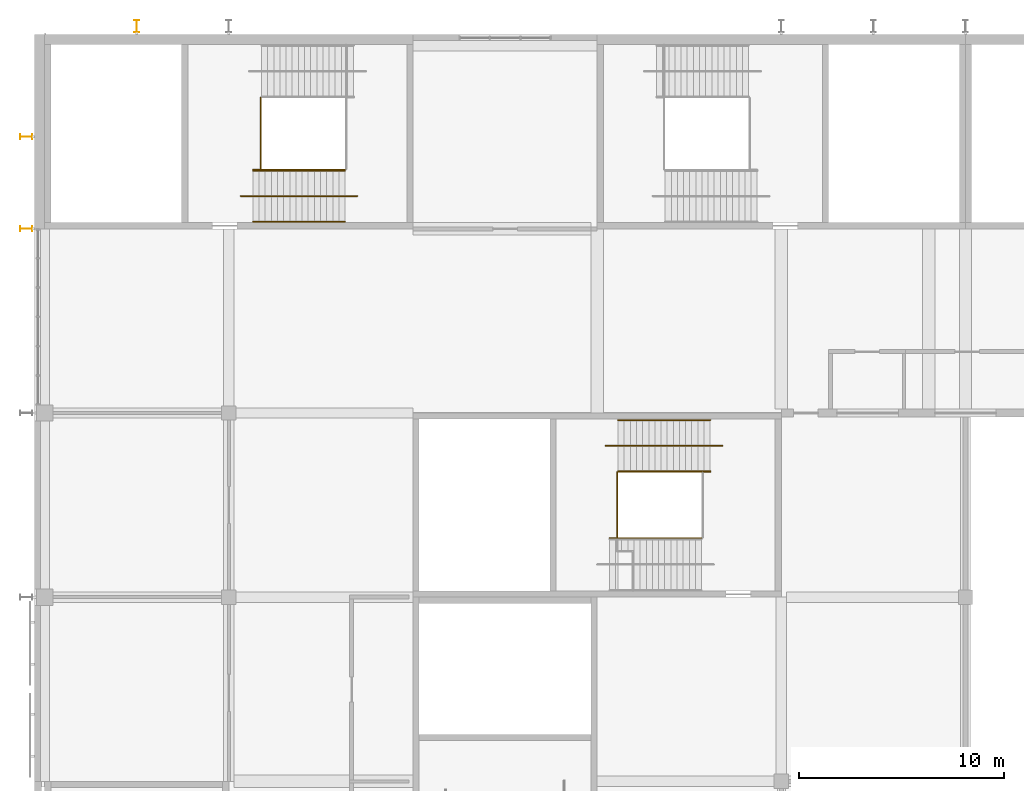
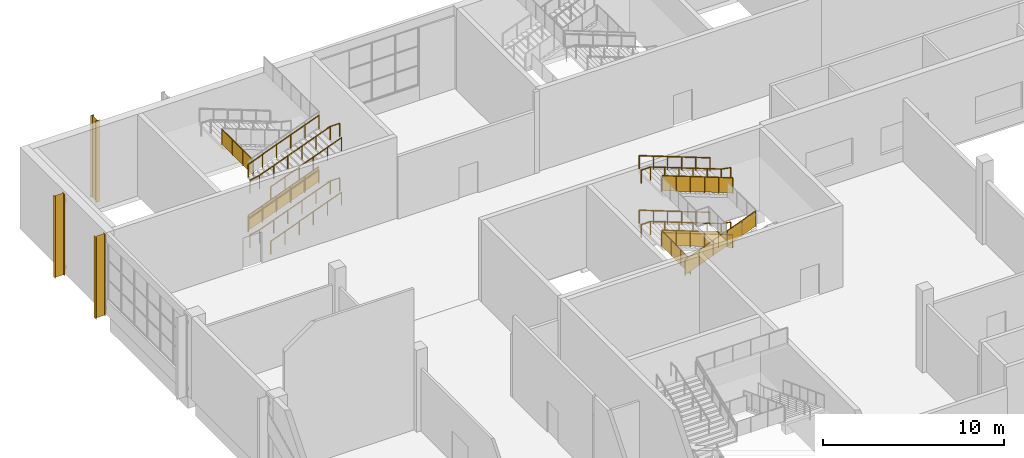
# One storey, part 71 of 84: 18 railings, 3 shading devices.
"""IFC4 building model written with IfcOpenShell, lengths in metres."""

import ifcopenshell
import ifcopenshell.guid

model = None  # the IFC model being written
_history = None  # IfcOwnerHistory: only IFC2X3 demands one
_inside = {}  # id of a spatial element -> (the spatial element, [elements in it])
_under = {}  # id of a project, library or spatial element -> (it, [spatial elements below it])
_declared = {}  # id of a project -> (the project, [libraries it declares])
_typed = {}  # id of a type object -> (the type object, [elements of that type])
_made_of = {}  # id of a material, layer set ... -> (it, [elements and type objects made of it])


def new_model(schema):
    """Start an empty IFC model of exactly this schema.

    Asked for "IFC4X3", IfcOpenShell would pick the latest addendum, in which some entities
    have other attributes; the version numbers below select the first issue.
    IFC2X3 requires an IfcOwnerHistory on every rooted entity: one is made here for all.
    """
    global model, _history
    if schema == "IFC4X3":
        model = ifcopenshell.file(schema_version=(4, 3, 0, 0))
    else:
        model = ifcopenshell.file(schema=schema)
    _inside.clear()
    _under.clear()
    _declared.clear()
    _typed.clear()
    _made_of.clear()
    _history = None
    if model.schema == "IFC2X3":
        org = make("IfcOrganization", Name="unknown")
        user = make(
            "IfcPersonAndOrganization",
            ThePerson=make("IfcPerson", FamilyName="unknown"),
            TheOrganization=org,
        )
        app = make(
            "IfcApplication",
            ApplicationDeveloper=org,
            Version="unknown",
            ApplicationFullName="unknown",
            ApplicationIdentifier="unknown",
        )
        _history = make(
            "IfcOwnerHistory",
            OwningUser=user,
            OwningApplication=app,
            ChangeAction="ADDED",
            CreationDate=0,
        )
    return model


def make(cls, **values):
    """One entity of the class cls with the attributes given. An attribute that is None is left unset."""
    return model.create_entity(
        cls, **{name: value for name, value in values.items() if value is not None}
    )


def rooted(cls, **values):
    """An entity with a GlobalId (a new one), such as an element, a storey or a relation."""
    return make(cls, GlobalId=ifcopenshell.guid.new(), OwnerHistory=_history, **values)


def si_unit(unit_type, name, prefix=None):
    """IfcSIUnit, for example si_unit("LENGTHUNIT", "METRE", prefix="MILLI")."""
    return make("IfcSIUnit", UnitType=unit_type, Prefix=prefix, Name=name)


def assignment(units):
    """IfcUnitAssignment: the units of a project."""
    return None if units is None else make("IfcUnitAssignment", Units=units)


def point(xyz):
    """IfcCartesianPoint."""
    return None if xyz is None else make("IfcCartesianPoint", Coordinates=xyz)


def direction(xyz):
    """IfcDirection."""
    return None if xyz is None else make("IfcDirection", DirectionRatios=xyz)


def frame(location, z_axis=None, x_axis=None):
    """IfcAxis2Placement3D, a coordinate frame: its origin and axes. An axis left out is left unset."""
    return make(
        "IfcAxis2Placement3D",
        Location=point(location),
        Axis=direction(z_axis),
        RefDirection=direction(x_axis),
    )


def frame_2d(location, x_axis=None):
    """IfcAxis2Placement2D, a coordinate frame in the plane: its origin and x axis."""
    return make(
        "IfcAxis2Placement2D", Location=point(location), RefDirection=direction(x_axis)
    )


def origin():
    """The frame at (0, 0, 0) with its axes left unset."""
    return frame((0.0, 0.0, 0.0))


def origin_2d():
    """The frame at (0, 0) in the plane with its x axis left unset."""
    return frame_2d((0.0, 0.0))


def place(relative_to, where):
    """IfcLocalPlacement: puts the frame where relative to a parent placement (None: the world)."""
    return make(
        "IfcLocalPlacement", PlacementRelTo=relative_to, RelativePlacement=where
    )


def context(
    kind, dimensions, precision=None, world=None, true_north=None, identifier=None
):
    """IfcGeometricRepresentationContext, for example the 3D "Model" context."""
    return make(
        "IfcGeometricRepresentationContext",
        ContextIdentifier=identifier,
        ContextType=kind,
        CoordinateSpaceDimension=dimensions,
        Precision=precision,
        WorldCoordinateSystem=world,
        TrueNorth=true_north,
    )


def subcontext(parent, identifier, kind, view, scale=None):
    """IfcGeometricRepresentationSubContext, for example "Body" below "Model"."""
    return make(
        "IfcGeometricRepresentationSubContext",
        ContextIdentifier=identifier,
        ContextType=kind,
        ParentContext=parent,
        TargetScale=scale,
        TargetView=view,
    )


def project(units=None, contexts=None):
    """IfcProject with its units and contexts."""
    return rooted(
        "IfcProject",
        Name="project",
        RepresentationContexts=contexts,
        UnitsInContext=assignment(units),
    )


def spatial(cls, under=None, at=None, **own):
    """A site, building, storey or space (cls), placed at a placement, below another one or the project."""
    s = rooted(cls, ObjectPlacement=at, **own)
    if under is not None:
        _under.setdefault(under.id(), (under, []))[1].append(s)
    return s


def polyline(points):
    """IfcPolyline through the points."""
    return make("IfcPolyline", Points=[point(p) for p in points])


def profile(cls, at=None, kind="AREA", **sizes):
    """A parametric profile (cls). Its sizes go by their IFC names, for example OverallWidth=200.0."""
    return make(cls, ProfileType=kind, Position=at, **sizes)


def circle(**sizes):
    """IfcCircleProfileDef."""
    return profile("IfcCircleProfileDef", **sizes)


def i_section(**sizes):
    """IfcIShapeProfileDef."""
    return profile("IfcIShapeProfileDef", **sizes)


def outline(outer, holes=None, kind="AREA"):
    """IfcArbitraryClosedProfileDef: a profile drawn as a closed curve; with holes, ...WithVoids."""
    if holes is None:
        return make("IfcArbitraryClosedProfileDef", ProfileType=kind, OuterCurve=outer)
    return make(
        "IfcArbitraryProfileDefWithVoids",
        ProfileType=kind,
        OuterCurve=outer,
        InnerCurves=holes,
    )


def extrude(swept, where, along, depth):
    """IfcExtrudedAreaSolid: the profile swept, set in the frame where, extruded along a direction by depth."""
    return make(
        "IfcExtrudedAreaSolid",
        SweptArea=swept,
        Position=where,
        ExtrudedDirection=direction(along),
        Depth=depth,
    )


def shape(context_of_items, identifier, shape_type, items):
    """IfcShapeRepresentation: the items that make up one representation, for example the "Body"."""
    return make(
        "IfcShapeRepresentation",
        ContextOfItems=context_of_items,
        RepresentationIdentifier=identifier,
        RepresentationType=shape_type,
        Items=items,
    )


def material(Name=None, Category=None):
    """IfcMaterial."""
    return make("IfcMaterial", Name=Name, Category=Category)


def material_profile(
    of_material, cross_section, Name=None, Category=None, Priority=None
):
    """IfcMaterialProfile: a cross section and its material."""
    return make(
        "IfcMaterialProfile",
        Name=Name,
        Material=of_material,
        Profile=cross_section,
        Priority=Priority,
        Category=Category,
    )


def profile_set(profiles, Name=None, composite=None):
    """IfcMaterialProfileSet."""
    return make(
        "IfcMaterialProfileSet",
        Name=Name,
        MaterialProfiles=profiles,
        CompositeProfile=composite,
    )


def made_of(thing, what):
    """Note that an element or type object is made of a material, layer set ...; save() writes the relation."""
    if what is not None:
        _made_of.setdefault(what.id(), (what, []))[1].append(thing)
    return thing


def type_object(cls, material=None, **own):
    """A type object (cls), such as IfcWallType, which elements share."""
    return made_of(rooted(cls, **own), material)


def element(
    cls,
    number,
    at=None,
    inside=None,
    cuts=None,
    type_object=None,
    material=None,
    context=None,
    identifier="Body",
    shape_type=None,
    held_by="IfcProductDefinitionShape",
    body=None,
    shapes=None,
    **own,
):
    """One element of the class cls, such as IfcWall. Its Tag is "e" and its number.

    at: its placement. inside: the storey or other place that contains it. cuts: it is an
    opening in that element (IfcRelVoidsElement). A single representation is given by context,
    identifier, shape_type and body (its items); several are given by shapes. held_by: the class
    of the entity that holds the representations. save() writes the other relations.
    """
    e = rooted(cls, Tag="e%d" % number, ObjectPlacement=at, **own)
    if body is not None:
        shapes = [shape(context, identifier, shape_type, body)]
    if shapes is not None:
        e.Representation = make(held_by, Representations=shapes)
    if inside is not None:
        _inside.setdefault(inside.id(), (inside, []))[1].append(e)
    if cuts is not None:
        rooted(
            "IfcRelVoidsElement", RelatingBuildingElement=cuts, RelatedOpeningElement=e
        )
    if type_object is not None:
        _typed.setdefault(type_object.id(), (type_object, []))[1].append(e)
    return made_of(e, material)


def aggregate(whole, parts):
    """IfcRelAggregates: a whole, such as a stair, and the parts it consists of."""
    return rooted("IfcRelAggregates", RelatingObject=whole, RelatedObjects=parts)


def save(model, path):
    """Write the relations noted so far, then the file.

    IfcRelAggregates (storeys below a building ...), IfcRelContainedInSpatialStructure (elements
    in a storey), IfcRelDefinesByType, IfcRelAssociatesMaterial and IfcRelDeclares: one each for
    every whole, place, type object, material and project.
    """
    for whole, parts in _under.values():
        aggregate(whole, parts)
    for where, things in _inside.values():
        rooted(
            "IfcRelContainedInSpatialStructure",
            RelatedElements=things,
            RelatingStructure=where,
        )
    for kind, things in _typed.values():
        rooted("IfcRelDefinesByType", RelatedObjects=things, RelatingType=kind)
    for what, things in _made_of.values():
        rooted("IfcRelAssociatesMaterial", RelatedObjects=things, RelatingMaterial=what)
    for by, libraries in _declared.values():
        rooted("IfcRelDeclares", RelatingContext=by, RelatedDefinitions=libraries)
    model.write(path)


model = new_model("IFC4")

# Units and contexts
model_context = context("Model", 3, precision=1e-05, world=origin(), true_north=direction((0.0, 1.0)))
body_context = subcontext(model_context, "Body", "Model", "MODEL_VIEW")
ifc_project = project(units=[si_unit("LENGTHUNIT", "METRE"), si_unit("AREAUNIT", "SQUARE_METRE"), si_unit("VOLUMEUNIT", "CUBIC_METRE"), si_unit("PLANEANGLEUNIT", "RADIAN"), si_unit("MASSUNIT", "GRAM", prefix="KILO")], contexts=[model_context])

# Site, building, storey
site_placement = place(None, origin())
site = spatial("IfcSite", under=ifc_project, at=site_placement, CompositionType="ELEMENT")
building_placement = place(site_placement, origin())
building = spatial("IfcBuilding", under=site, at=building_placement, Name="Silverbay Arena", CompositionType="ELEMENT")
storey_placement = place(building_placement, frame((0.0, 0.0, 28.0)))
storey = spatial("IfcBuildingStorey", under=building, at=storey_placement, Name="L04", CompositionType="ELEMENT", Elevation=28.0)

# Railings
ifc_material_1 = material(Name="Stainless steel", Category="steel")
railing_type_1 = type_object("IfcRailingType", Name="Stair guard 1100", PredefinedType="GUARDRAIL", material=ifc_material_1)
railing_1_placement = place(storey_placement, frame((64.1796875, 137.875, 0.114501953125)))
element("IfcRailing", 1, at=railing_1_placement, inside=storey, type_object=railing_type_1, Name="Stair ST-N5 L04 to L05 flight 1 guard right", PredefinedType="GUARDRAIL", context=body_context, shape_type="SweptSolid", body=[
    extrude(circle(Radius=0.02392578125, at=origin_2d()), frame((0.0, 0.0, 1.076171875), z_axis=(0.93417907455, 0.0, 0.356804507641), x_axis=(0.0, 1.0, 0.0)), (0.0, 0.0, 1.0), 4.817138671875),
    extrude(outline(polyline([(-0.008056640625, 0.046875), (0.907958984375, 0.396728515625), (0.907958984375, 1.39990234375), (-0.008056640625, 1.050048828125), (-0.008056640625, 0.046875)])), frame((0.0, 0.0029296875, 0.0), z_axis=(0.0, -1.0, 0.0), x_axis=(1.0, 0.0, 0.0)), (0.0, 0.0, 1.0), 0.006103515625),
    extrude(outline(polyline([(-0.008056640625, 0.390625), (0.907958984375, 0.740478515625), (0.907958984375, 1.74365234375), (-0.008056640625, 1.393798828125), (-0.008056640625, 0.390625)])), frame((0.89990234375, 0.0029296875, 0.0), z_axis=(0.0, -1.0, 0.0), x_axis=(1.0, 0.0, 0.0)), (0.0, 0.0, 1.0), 0.006103515625),
    extrude(outline(polyline([(-0.008056640625, 0.734375), (0.907958984375, 1.084228515625), (0.907958984375, 2.08740234375), (-0.008056640625, 1.737548828125), (-0.008056640625, 0.734375)])), frame((1.800048828125, 0.0029296875, 0.0), z_axis=(0.0, -1.0, 0.0), x_axis=(1.0, 0.0, 0.0)), (0.0, 0.0, 1.0), 0.006103515625),
    extrude(outline(polyline([(-0.008056640625, 1.078125), (0.907958984375, 1.427978515625), (0.907958984375, 2.43115234375), (-0.008056640625, 2.081298828125), (-0.008056640625, 1.078125)])), frame((2.699951171875, 0.0029296875, 0.0), z_axis=(0.0, -1.0, 0.0), x_axis=(1.0, 0.0, 0.0)), (0.0, 0.0, 1.0), 0.006103515625),
    extrude(outline(polyline([(-0.008056640625, 1.421875), (0.907958984375, 1.771728515625), (0.907958984375, 2.77490234375), (-0.008056640625, 2.425048828125), (-0.008056640625, 1.421875)])), frame((3.60009765625, 0.0029296875, 0.0), z_axis=(0.0, -1.0, 0.0), x_axis=(1.0, 0.0, 0.0)), (0.0, 0.0, 1.0), 0.006103515625),
    extrude(circle(Radius=0.02099609375, at=origin_2d()), origin(), (0.0, 0.0, 1.0), 1.052001953125),
    extrude(circle(Radius=0.02099609375, at=origin_2d()), frame((0.89990234375, 0.0, 0.34375)), (0.0, 0.0, 1.0), 1.052001953125),
    extrude(circle(Radius=0.02099609375, at=origin_2d()), frame((1.800048828125, 0.0, 0.6875)), (0.0, 0.0, 1.0), 1.052001953125),
    extrude(circle(Radius=0.02099609375, at=origin_2d()), frame((2.699951171875, 0.0, 1.03125)), (0.0, 0.0, 1.0), 1.052001953125),
    extrude(circle(Radius=0.02099609375, at=origin_2d()), frame((3.60009765625, 0.0, 1.375)), (0.0, 0.0, 1.0), 1.052001953125),
    extrude(circle(Radius=0.02099609375, at=origin_2d()), frame((4.5, 0.0, 1.71875)), (0.0, 0.0, 1.0), 1.052001953125),
])
railing_2_placement = place(storey_placement, frame((64.550048828125, 137.89990234375, 3.666748046875)))
element("IfcRailing", 2, at=railing_2_placement, inside=storey, type_object=railing_type_1, Name="Stair ST-N5 L04 to L05 landing 2 guard", PredefinedType="GUARDRAIL", context=body_context, shape_type="SweptSolid", body=[
    extrude(circle(Radius=0.02392578125, at=origin_2d()), frame((0.0, 0.0, 1.076171875), z_axis=(0.0, 1.0, 0.0), x_axis=(-1.0, 0.0, 0.0)), (0.0, 0.0, 1.0), 3.5),
    extrude(outline(polyline([(-0.008056640625, 0.050048828125), (1.174560546875, 0.050048828125), (1.174560546875, 1.052978515625), (-0.008056640625, 1.052978515625), (-0.008056640625, 0.050048828125)])), frame((-0.0029296875, 0.0, 0.0), z_axis=(1.0, 0.0, 0.0), x_axis=(0.0, 1.0, 0.0)), (0.0, 0.0, 1.0), 0.006103515625),
    extrude(outline(polyline([(-0.008056640625, 0.050048828125), (1.174560546875, 0.050048828125), (1.174560546875, 1.052978515625), (-0.008056640625, 1.052978515625), (-0.008056640625, 0.050048828125)])), frame((-0.0029296875, 1.166748046875, 0.0), z_axis=(1.0, 0.0, 0.0), x_axis=(0.0, 1.0, 0.0)), (0.0, 0.0, 1.0), 0.006103515625),
    extrude(outline(polyline([(-0.008056640625, 0.050048828125), (1.174560546875, 0.050048828125), (1.174560546875, 1.052978515625), (-0.008056640625, 1.052978515625), (-0.008056640625, 0.050048828125)])), frame((-0.0029296875, 2.333251953125, 0.0), z_axis=(1.0, 0.0, 0.0), x_axis=(0.0, 1.0, 0.0)), (0.0, 0.0, 1.0), 0.006103515625),
    extrude(circle(Radius=0.02099609375, at=origin_2d()), origin(), (0.0, 0.0, 1.0), 1.052001953125),
    extrude(circle(Radius=0.02099609375, at=origin_2d()), frame((0.0, 1.166748046875, 0.0)), (0.0, 0.0, 1.0), 1.052001953125),
    extrude(circle(Radius=0.02099609375, at=origin_2d()), frame((0.0, 2.333251953125, 0.0)), (0.0, 0.0, 1.0), 1.052001953125),
    extrude(circle(Radius=0.02099609375, at=origin_2d()), frame((0.0, 3.5, 0.0)), (0.0, 0.0, 1.0), 1.052001953125),
])
railing_3_placement = place(storey_placement, frame((86.5205078125, 123.125, 0.114501953125)))
element("IfcRailing", 3, at=railing_3_placement, inside=storey, type_object=railing_type_1, Name="Stair ST-NW1 L04 to L05 flight 1 guard left", PredefinedType="GUARDRAIL", context=body_context, shape_type="SweptSolid", body=[
    extrude(circle(Radius=0.02392578125, at=origin_2d()), frame((0.0, 0.0, 1.076171875), z_axis=(-0.93417907455, 0.0, 0.356804507641), x_axis=(0.0, -1.0, 0.0)), (0.0, 0.0, 1.0), 4.817138671875),
    extrude(outline(polyline([(-0.008056640625, 0.046875), (0.907958984375, 0.396728515625), (0.907958984375, 1.39990234375), (-0.008056640625, 1.050048828125), (-0.008056640625, 0.046875)])), frame((0.0, -0.0029296875, 0.0), z_axis=(0.0, 1.0, 0.0), x_axis=(-1.0, 0.0, 0.0)), (0.0, 0.0, 1.0), 0.006103515625),
    extrude(outline(polyline([(-0.008056640625, 0.390625), (0.907958984375, 0.740478515625), (0.907958984375, 1.74365234375), (-0.008056640625, 1.393798828125), (-0.008056640625, 0.390625)])), frame((-0.89990234375, -0.0029296875, 0.0), z_axis=(0.0, 1.0, 0.0), x_axis=(-1.0, 0.0, 0.0)), (0.0, 0.0, 1.0), 0.006103515625),
    extrude(outline(polyline([(-0.008056640625, 0.734375), (0.907958984375, 1.084228515625), (0.907958984375, 2.08740234375), (-0.008056640625, 1.737548828125), (-0.008056640625, 0.734375)])), frame((-1.800048828125, -0.0029296875, 0.0), z_axis=(0.0, 1.0, 0.0), x_axis=(-1.0, 0.0, 0.0)), (0.0, 0.0, 1.0), 0.006103515625),
    extrude(outline(polyline([(-0.008056640625, 1.078125), (0.907958984375, 1.427978515625), (0.907958984375, 2.43115234375), (-0.008056640625, 2.081298828125), (-0.008056640625, 1.078125)])), frame((-2.699951171875, -0.0029296875, 0.0), z_axis=(0.0, 1.0, 0.0), x_axis=(-1.0, 0.0, 0.0)), (0.0, 0.0, 1.0), 0.006103515625),
    extrude(outline(polyline([(-0.008056640625, 1.421875), (0.907958984375, 1.771728515625), (0.907958984375, 2.77490234375), (-0.008056640625, 2.425048828125), (-0.008056640625, 1.421875)])), frame((-3.60009765625, -0.0029296875, 0.0), z_axis=(0.0, 1.0, 0.0), x_axis=(-1.0, 0.0, 0.0)), (0.0, 0.0, 1.0), 0.006103515625),
    extrude(circle(Radius=0.02099609375, at=origin_2d()), origin(), (0.0, 0.0, 1.0), 1.052001953125),
    extrude(circle(Radius=0.02099609375, at=origin_2d()), frame((-0.89990234375, 0.0, 0.34375)), (0.0, 0.0, 1.0), 1.052001953125),
    extrude(circle(Radius=0.02099609375, at=origin_2d()), frame((-1.800048828125, 0.0, 0.6875)), (0.0, 0.0, 1.0), 1.052001953125),
    extrude(circle(Radius=0.02099609375, at=origin_2d()), frame((-2.699951171875, 0.0, 1.03125)), (0.0, 0.0, 1.0), 1.052001953125),
    extrude(circle(Radius=0.02099609375, at=origin_2d()), frame((-3.60009765625, 0.0, 1.375)), (0.0, 0.0, 1.0), 1.052001953125),
    extrude(circle(Radius=0.02099609375, at=origin_2d()), frame((-4.5, 0.0, 1.71875)), (0.0, 0.0, 1.0), 1.052001953125),
])
railing_4_placement = place(storey_placement, frame((81.60009765625, 119.875, 1.947998046875)))
element("IfcRailing", 4, at=railing_4_placement, inside=storey, type_object=railing_type_1, Name="Stair ST-NW1 L04 to L05 flight 2 guard right", PredefinedType="GUARDRAIL", context=body_context, shape_type="SweptSolid", body=[
    extrude(circle(Radius=0.02392578125, at=origin_2d()), frame((0.0, 0.0, 1.076171875), z_axis=(0.93417907455, 0.0, 0.356804507641), x_axis=(0.0, 1.0, 0.0)), (0.0, 0.0, 1.0), 4.817138671875),
    extrude(outline(polyline([(-0.008056640625, 0.046875), (0.907958984375, 0.396728515625), (0.907958984375, 1.39990234375), (-0.008056640625, 1.050048828125), (-0.008056640625, 0.046875)])), frame((0.0, 0.0029296875, 0.0), z_axis=(0.0, -1.0, 0.0), x_axis=(1.0, 0.0, 0.0)), (0.0, 0.0, 1.0), 0.006103515625),
    extrude(outline(polyline([(-0.008056640625, 0.390625), (0.907958984375, 0.740478515625), (0.907958984375, 1.74365234375), (-0.008056640625, 1.393798828125), (-0.008056640625, 0.390625)])), frame((0.89990234375, 0.0029296875, 0.0), z_axis=(0.0, -1.0, 0.0), x_axis=(1.0, 0.0, 0.0)), (0.0, 0.0, 1.0), 0.006103515625),
    extrude(outline(polyline([(-0.008056640625, 0.734375), (0.907958984375, 1.084228515625), (0.907958984375, 2.08740234375), (-0.008056640625, 1.737548828125), (-0.008056640625, 0.734375)])), frame((1.800048828125, 0.0029296875, 0.0), z_axis=(0.0, -1.0, 0.0), x_axis=(1.0, 0.0, 0.0)), (0.0, 0.0, 1.0), 0.006103515625),
    extrude(outline(polyline([(-0.008056640625, 1.078125), (0.907958984375, 1.427978515625), (0.907958984375, 2.43115234375), (-0.008056640625, 2.081298828125), (-0.008056640625, 1.078125)])), frame((2.699951171875, 0.0029296875, 0.0), z_axis=(0.0, -1.0, 0.0), x_axis=(1.0, 0.0, 0.0)), (0.0, 0.0, 1.0), 0.006103515625),
    extrude(outline(polyline([(-0.008056640625, 1.421875), (0.907958984375, 1.771728515625), (0.907958984375, 2.77490234375), (-0.008056640625, 2.425048828125), (-0.008056640625, 1.421875)])), frame((3.60009765625, 0.0029296875, 0.0), z_axis=(0.0, -1.0, 0.0), x_axis=(1.0, 0.0, 0.0)), (0.0, 0.0, 1.0), 0.006103515625),
    extrude(circle(Radius=0.02099609375, at=origin_2d()), origin(), (0.0, 0.0, 1.0), 1.052001953125),
    extrude(circle(Radius=0.02099609375, at=origin_2d()), frame((0.89990234375, 0.0, 0.34375)), (0.0, 0.0, 1.0), 1.052001953125),
    extrude(circle(Radius=0.02099609375, at=origin_2d()), frame((1.800048828125, 0.0, 0.6875)), (0.0, 0.0, 1.0), 1.052001953125),
    extrude(circle(Radius=0.02099609375, at=origin_2d()), frame((2.699951171875, 0.0, 1.03125)), (0.0, 0.0, 1.0), 1.052001953125),
    extrude(circle(Radius=0.02099609375, at=origin_2d()), frame((3.60009765625, 0.0, 1.375)), (0.0, 0.0, 1.0), 1.052001953125),
    extrude(circle(Radius=0.02099609375, at=origin_2d()), frame((4.5, 0.0, 1.71875)), (0.0, 0.0, 1.0), 1.052001953125),
])
railing_5_placement = place(storey_placement, frame((86.5205078125, 123.125, 3.78125)))
element("IfcRailing", 5, at=railing_5_placement, inside=storey, type_object=railing_type_1, Name="Stair ST-NW1 L04 to L05 flight 3 guard left", PredefinedType="GUARDRAIL", context=body_context, shape_type="SweptSolid", body=[
    extrude(circle(Radius=0.02392578125, at=origin_2d()), frame((0.0, 0.0, 1.076171875), z_axis=(-0.93417907455, 0.0, 0.356804507641), x_axis=(0.0, -1.0, 0.0)), (0.0, 0.0, 1.0), 4.817138671875),
    extrude(outline(polyline([(-0.008056640625, 0.046875), (0.907958984375, 0.396728515625), (0.907958984375, 1.39990234375), (-0.008056640625, 1.050048828125), (-0.008056640625, 0.046875)])), frame((0.0, -0.0029296875, 0.0), z_axis=(0.0, 1.0, 0.0), x_axis=(-1.0, 0.0, 0.0)), (0.0, 0.0, 1.0), 0.006103515625),
    extrude(outline(polyline([(-0.008056640625, 0.390625), (0.907958984375, 0.740478515625), (0.907958984375, 1.74365234375), (-0.008056640625, 1.393798828125), (-0.008056640625, 0.390625)])), frame((-0.89990234375, -0.0029296875, 0.0), z_axis=(0.0, 1.0, 0.0), x_axis=(-1.0, 0.0, 0.0)), (0.0, 0.0, 1.0), 0.006103515625),
    extrude(outline(polyline([(-0.008056640625, 0.734375), (0.907958984375, 1.084228515625), (0.907958984375, 2.08740234375), (-0.008056640625, 1.737548828125), (-0.008056640625, 0.734375)])), frame((-1.800048828125, -0.0029296875, 0.0), z_axis=(0.0, 1.0, 0.0), x_axis=(-1.0, 0.0, 0.0)), (0.0, 0.0, 1.0), 0.006103515625),
    extrude(outline(polyline([(-0.008056640625, 1.078125), (0.907958984375, 1.427978515625), (0.907958984375, 2.43115234375), (-0.008056640625, 2.081298828125), (-0.008056640625, 1.078125)])), frame((-2.699951171875, -0.0029296875, 0.0), z_axis=(0.0, 1.0, 0.0), x_axis=(-1.0, 0.0, 0.0)), (0.0, 0.0, 1.0), 0.006103515625),
    extrude(outline(polyline([(-0.008056640625, 1.421875), (0.907958984375, 1.771728515625), (0.907958984375, 2.77490234375), (-0.008056640625, 2.425048828125), (-0.008056640625, 1.421875)])), frame((-3.60009765625, -0.0029296875, 0.0), z_axis=(0.0, 1.0, 0.0), x_axis=(-1.0, 0.0, 0.0)), (0.0, 0.0, 1.0), 0.006103515625),
    extrude(circle(Radius=0.02099609375, at=origin_2d()), origin(), (0.0, 0.0, 1.0), 1.052001953125),
    extrude(circle(Radius=0.02099609375, at=origin_2d()), frame((-0.89990234375, 0.0, 0.34375)), (0.0, 0.0, 1.0), 1.052001953125),
    extrude(circle(Radius=0.02099609375, at=origin_2d()), frame((-1.800048828125, 0.0, 0.6875)), (0.0, 0.0, 1.0), 1.052001953125),
    extrude(circle(Radius=0.02099609375, at=origin_2d()), frame((-2.699951171875, 0.0, 1.03125)), (0.0, 0.0, 1.0), 1.052001953125),
    extrude(circle(Radius=0.02099609375, at=origin_2d()), frame((-3.60009765625, 0.0, 1.375)), (0.0, 0.0, 1.0), 1.052001953125),
    extrude(circle(Radius=0.02099609375, at=origin_2d()), frame((-4.5, 0.0, 1.71875)), (0.0, 0.0, 1.0), 1.052001953125),
])
railing_6_placement = place(storey_placement, frame((81.970458984375, 119.89990234375, 1.833251953125)))
element("IfcRailing", 6, at=railing_6_placement, inside=storey, type_object=railing_type_1, Name="Stair ST-NW1 L04 to L05 landing 1 guard", PredefinedType="GUARDRAIL", context=body_context, shape_type="SweptSolid", body=[
    extrude(circle(Radius=0.02392578125, at=origin_2d()), frame((0.0, 0.0, 1.076171875), z_axis=(0.0, 1.0, 0.0), x_axis=(-1.0, 0.0, 0.0)), (0.0, 0.0, 1.0), 3.2001953125),
    extrude(outline(polyline([(-0.008056640625, 0.050048828125), (1.07470703125, 0.050048828125), (1.07470703125, 1.052978515625), (-0.008056640625, 1.052978515625), (-0.008056640625, 0.050048828125)])), frame((-0.0029296875, 0.0, 0.0), z_axis=(1.0, 0.0, 0.0), x_axis=(0.0, 1.0, 0.0)), (0.0, 0.0, 1.0), 0.006103515625),
    extrude(outline(polyline([(-0.008056640625, 0.050048828125), (1.07470703125, 0.050048828125), (1.07470703125, 1.052978515625), (-0.008056640625, 1.052978515625), (-0.008056640625, 0.050048828125)])), frame((-0.0029296875, 1.066650390625, 0.0), z_axis=(1.0, 0.0, 0.0), x_axis=(0.0, 1.0, 0.0)), (0.0, 0.0, 1.0), 0.006103515625),
    extrude(outline(polyline([(-0.008056640625, 0.050048828125), (1.07470703125, 0.050048828125), (1.07470703125, 1.052978515625), (-0.008056640625, 1.052978515625), (-0.008056640625, 0.050048828125)])), frame((-0.0029296875, 2.133544921875, 0.0), z_axis=(1.0, 0.0, 0.0), x_axis=(0.0, 1.0, 0.0)), (0.0, 0.0, 1.0), 0.006103515625),
    extrude(circle(Radius=0.02099609375, at=origin_2d()), origin(), (0.0, 0.0, 1.0), 1.052001953125),
    extrude(circle(Radius=0.02099609375, at=origin_2d()), frame((0.0, 1.066650390625, 0.0)), (0.0, 0.0, 1.0), 1.052001953125),
    extrude(circle(Radius=0.02099609375, at=origin_2d()), frame((0.0, 2.133544921875, 0.0)), (0.0, 0.0, 1.0), 1.052001953125),
    extrude(circle(Radius=0.02099609375, at=origin_2d()), frame((0.0, 3.2001953125, 0.0)), (0.0, 0.0, 1.0), 1.052001953125),
])
ifc_material_2 = material(Name="Stainless steel", Category="steel")
railing_type_2 = type_object("IfcRailingType", Name="Stair handrail 900", PredefinedType="HANDRAIL", material=ifc_material_2)
for number, where, name in (
    (7, (64.1796875, 135.35009765625, 0.114501953125), "Stair ST-N5 L04 to L05 flight 1 handrail left"),
    (8, (64.1796875, 137.8359375, 0.114501953125), "Stair ST-N5 L04 to L05 flight 1 handrail right"),
):
    element("IfcRailing", number, at=place(storey_placement, frame(where)), inside=storey, type_object=railing_type_2, Name=name, PredefinedType="HANDRAIL", context=body_context, shape_type="SweptSolid", body=[
        extrude(circle(Radius=0.02392578125, at=origin_2d()), frame((0.0, 0.0, 0.8759765625), z_axis=(0.93417907455, 0.0, 0.356804507641), x_axis=(0.0, 1.0, 0.0)), (0.0, 0.0, 1.0), 4.817138671875),
        extrude(circle(Radius=0.02099609375, at=origin_2d()), origin(), (0.0, 0.0, 1.0), 0.851806640625),
        extrude(circle(Radius=0.02099609375, at=origin_2d()), frame((0.89990234375, 0.0, 0.34375)), (0.0, 0.0, 1.0), 0.851806640625),
        extrude(circle(Radius=0.02099609375, at=origin_2d()), frame((1.800048828125, 0.0, 0.6875)), (0.0, 0.0, 1.0), 0.851806640625),
        extrude(circle(Radius=0.02099609375, at=origin_2d()), frame((2.699951171875, 0.0, 1.03125)), (0.0, 0.0, 1.0), 0.851806640625),
        extrude(circle(Radius=0.02099609375, at=origin_2d()), frame((3.60009765625, 0.0, 1.375)), (0.0, 0.0, 1.0), 0.851806640625),
        extrude(circle(Radius=0.02099609375, at=origin_2d()), frame((4.5, 0.0, 1.71875)), (0.0, 0.0, 1.0), 0.851806640625),
    ])
railing_7_placement = place(storey_placement, frame((63.57958984375, 136.60009765625, 0.0)))
element("IfcRailing", 9, at=railing_7_placement, inside=storey, type_object=railing_type_2, Name="Stair ST-N5 L04 to L05 flight 1 central handrail", PredefinedType="HANDRAIL", context=body_context, shape_type="SweptSolid", body=[
    extrude(circle(Radius=0.02392578125, at=origin_2d()), frame((0.0, 0.0, 0.8759765625), z_axis=(0.982279053969, 0.0, 0.187424278402), x_axis=(0.0, 1.0, 0.0)), (0.0, 0.0, 1.0), 0.61083984375),
    extrude(circle(Radius=0.02392578125, at=origin_2d()), frame((0.60009765625, 0.0, 0.990234375), z_axis=(0.93417907455, 0.0, 0.356804507641), x_axis=(0.0, 1.0, 0.0)), (0.0, 0.0, 1.0), 4.817138671875),
    extrude(circle(Radius=0.02392578125, at=origin_2d()), frame((5.10009765625, 0.0, 2.708984375), z_axis=(1.0, 0.0, 0.0), x_axis=(0.0, 1.0, 0.0)), (0.0, 0.0, 1.0), 0.599853515625),
    extrude(circle(Radius=0.02099609375, at=origin_2d()), origin(), (0.0, 0.0, 1.0), 0.851806640625),
    extrude(circle(Radius=0.02099609375, at=origin_2d()), frame((0.60009765625, 0.0, 0.114501953125)), (0.0, 0.0, 1.0), 0.851806640625),
    extrude(circle(Radius=0.02099609375, at=origin_2d()), frame((1.5, 0.0, 0.458251953125)), (0.0, 0.0, 1.0), 0.851806640625),
    extrude(circle(Radius=0.02099609375, at=origin_2d()), frame((2.400146484375, 0.0, 0.802001953125)), (0.0, 0.0, 1.0), 0.851806640625),
    extrude(circle(Radius=0.02099609375, at=origin_2d()), frame((3.300048828125, 0.0, 1.145751953125)), (0.0, 0.0, 1.0), 0.851806640625),
    extrude(circle(Radius=0.02099609375, at=origin_2d()), frame((4.2001953125, 0.0, 1.489501953125)), (0.0, 0.0, 1.0), 0.851806640625),
    extrude(circle(Radius=0.02099609375, at=origin_2d()), frame((5.10009765625, 0.0, 1.833251953125)), (0.0, 0.0, 1.0), 0.851806640625),
    extrude(circle(Radius=0.02099609375, at=origin_2d()), frame((5.699951171875, 0.0, 1.833251953125)), (0.0, 0.0, 1.0), 0.851806640625),
])
for number, where, name in (
    (10, (64.1796875, 135.35009765625, 3.78125), "Stair ST-N5 L04 to L05 flight 3 handrail left"),
    (11, (64.1796875, 137.8359375, 3.78125), "Stair ST-N5 L04 to L05 flight 3 handrail right"),
):
    element("IfcRailing", number, at=place(storey_placement, frame(where)), inside=storey, type_object=railing_type_2, Name=name, PredefinedType="HANDRAIL", context=body_context, shape_type="SweptSolid", body=[
        extrude(circle(Radius=0.02392578125, at=origin_2d()), frame((0.0, 0.0, 0.8759765625), z_axis=(0.93417907455, 0.0, 0.356804507641), x_axis=(0.0, 1.0, 0.0)), (0.0, 0.0, 1.0), 4.817138671875),
        extrude(circle(Radius=0.02099609375, at=origin_2d()), origin(), (0.0, 0.0, 1.0), 0.851806640625),
        extrude(circle(Radius=0.02099609375, at=origin_2d()), frame((0.89990234375, 0.0, 0.34375)), (0.0, 0.0, 1.0), 0.851806640625),
        extrude(circle(Radius=0.02099609375, at=origin_2d()), frame((1.800048828125, 0.0, 0.6875)), (0.0, 0.0, 1.0), 0.851806640625),
        extrude(circle(Radius=0.02099609375, at=origin_2d()), frame((2.699951171875, 0.0, 1.03125)), (0.0, 0.0, 1.0), 0.851806640625),
        extrude(circle(Radius=0.02099609375, at=origin_2d()), frame((3.60009765625, 0.0, 1.375)), (0.0, 0.0, 1.0), 0.851806640625),
        extrude(circle(Radius=0.02099609375, at=origin_2d()), frame((4.5, 0.0, 1.71875)), (0.0, 0.0, 1.0), 0.851806640625),
    ])
railing_8_placement = place(storey_placement, frame((63.57958984375, 136.60009765625, 3.666748046875)))
element("IfcRailing", 12, at=railing_8_placement, inside=storey, type_object=railing_type_2, Name="Stair ST-N5 L04 to L05 flight 3 central handrail", PredefinedType="HANDRAIL", context=body_context, shape_type="SweptSolid", body=[
    extrude(circle(Radius=0.02392578125, at=origin_2d()), frame((0.0, 0.0, 0.8759765625), z_axis=(0.982279053969, 0.0, 0.187424278402), x_axis=(0.0, 1.0, 0.0)), (0.0, 0.0, 1.0), 0.61083984375),
    extrude(circle(Radius=0.02392578125, at=origin_2d()), frame((0.60009765625, 0.0, 0.990234375), z_axis=(0.93417907455, 0.0, 0.356804507641), x_axis=(0.0, 1.0, 0.0)), (0.0, 0.0, 1.0), 4.817138671875),
    extrude(circle(Radius=0.02392578125, at=origin_2d()), frame((5.10009765625, 0.0, 2.708984375), z_axis=(1.0, 0.0, 0.0), x_axis=(0.0, 1.0, 0.0)), (0.0, 0.0, 1.0), 0.599853515625),
    extrude(circle(Radius=0.02099609375, at=origin_2d()), origin(), (0.0, 0.0, 1.0), 0.851806640625),
    extrude(circle(Radius=0.02099609375, at=origin_2d()), frame((0.60009765625, 0.0, 0.114501953125)), (0.0, 0.0, 1.0), 0.851806640625),
    extrude(circle(Radius=0.02099609375, at=origin_2d()), frame((1.5, 0.0, 0.458251953125)), (0.0, 0.0, 1.0), 0.851806640625),
    extrude(circle(Radius=0.02099609375, at=origin_2d()), frame((2.400146484375, 0.0, 0.802001953125)), (0.0, 0.0, 1.0), 0.851806640625),
    extrude(circle(Radius=0.02099609375, at=origin_2d()), frame((3.300048828125, 0.0, 1.145751953125)), (0.0, 0.0, 1.0), 0.851806640625),
    extrude(circle(Radius=0.02099609375, at=origin_2d()), frame((4.2001953125, 0.0, 1.489501953125)), (0.0, 0.0, 1.0), 0.851806640625),
    extrude(circle(Radius=0.02099609375, at=origin_2d()), frame((5.10009765625, 0.0, 1.833251953125)), (0.0, 0.0, 1.0), 0.851806640625),
    extrude(circle(Radius=0.02099609375, at=origin_2d()), frame((5.699951171875, 0.0, 1.833251953125)), (0.0, 0.0, 1.0), 0.851806640625),
])
for number, where, name in (
    (13, (86.5205078125, 123.1640625, 0.114501953125), "Stair ST-NW1 L04 to L05 flight 1 handrail left"),
    (14, (86.5205078125, 125.64990234375, 0.114501953125), "Stair ST-NW1 L04 to L05 flight 1 handrail right"),
):
    element("IfcRailing", number, at=place(storey_placement, frame(where)), inside=storey, type_object=railing_type_2, Name=name, PredefinedType="HANDRAIL", context=body_context, shape_type="SweptSolid", body=[
        extrude(circle(Radius=0.02392578125, at=origin_2d()), frame((0.0, 0.0, 0.8759765625), z_axis=(-0.93417907455, 0.0, 0.356804507641), x_axis=(0.0, -1.0, 0.0)), (0.0, 0.0, 1.0), 4.817138671875),
        extrude(circle(Radius=0.02099609375, at=origin_2d()), origin(), (0.0, 0.0, 1.0), 0.851806640625),
        extrude(circle(Radius=0.02099609375, at=origin_2d()), frame((-0.89990234375, 0.0, 0.34375)), (0.0, 0.0, 1.0), 0.851806640625),
        extrude(circle(Radius=0.02099609375, at=origin_2d()), frame((-1.800048828125, 0.0, 0.6875)), (0.0, 0.0, 1.0), 0.851806640625),
        extrude(circle(Radius=0.02099609375, at=origin_2d()), frame((-2.699951171875, 0.0, 1.03125)), (0.0, 0.0, 1.0), 0.851806640625),
        extrude(circle(Radius=0.02099609375, at=origin_2d()), frame((-3.60009765625, 0.0, 1.375)), (0.0, 0.0, 1.0), 0.851806640625),
        extrude(circle(Radius=0.02099609375, at=origin_2d()), frame((-4.5, 0.0, 1.71875)), (0.0, 0.0, 1.0), 0.851806640625),
    ])
railing_9_placement = place(storey_placement, frame((87.120361328125, 124.39990234375, 0.0)))
element("IfcRailing", 15, at=railing_9_placement, inside=storey, type_object=railing_type_2, Name="Stair ST-NW1 L04 to L05 flight 1 central handrail", PredefinedType="HANDRAIL", context=body_context, shape_type="SweptSolid", body=[
    extrude(circle(Radius=0.02392578125, at=origin_2d()), frame((0.0, 0.0, 0.8759765625), z_axis=(-0.982265007716, 0.0, 0.187497878966), x_axis=(0.0, -1.0, 0.0)), (0.0, 0.0, 1.0), 0.610595703125),
    extrude(circle(Radius=0.02392578125, at=origin_2d()), frame((-0.599853515625, 0.0, 0.990234375), z_axis=(-0.93417907455, 0.0, 0.356804507641), x_axis=(0.0, -1.0, 0.0)), (0.0, 0.0, 1.0), 4.817138671875),
    extrude(circle(Radius=0.02392578125, at=origin_2d()), frame((-5.099853515625, 0.0, 2.708984375), z_axis=(-1.0, 0.0, 0.0), x_axis=(0.0, -1.0, 0.0)), (0.0, 0.0, 1.0), 0.60009765625),
    extrude(circle(Radius=0.02099609375, at=origin_2d()), origin(), (0.0, 0.0, 1.0), 0.851806640625),
    extrude(circle(Radius=0.02099609375, at=origin_2d()), frame((-0.599853515625, 0.0, 0.114501953125)), (0.0, 0.0, 1.0), 0.851806640625),
    extrude(circle(Radius=0.02099609375, at=origin_2d()), frame((-1.499755859375, 0.0, 0.458251953125)), (0.0, 0.0, 1.0), 0.851806640625),
    extrude(circle(Radius=0.02099609375, at=origin_2d()), frame((-2.39990234375, 0.0, 0.802001953125)), (0.0, 0.0, 1.0), 0.851806640625),
    extrude(circle(Radius=0.02099609375, at=origin_2d()), frame((-3.2998046875, 0.0, 1.145751953125)), (0.0, 0.0, 1.0), 0.851806640625),
    extrude(circle(Radius=0.02099609375, at=origin_2d()), frame((-4.199951171875, 0.0, 1.489501953125)), (0.0, 0.0, 1.0), 0.851806640625),
    extrude(circle(Radius=0.02099609375, at=origin_2d()), frame((-5.099853515625, 0.0, 1.833251953125)), (0.0, 0.0, 1.0), 0.851806640625),
    extrude(circle(Radius=0.02099609375, at=origin_2d()), frame((-5.699951171875, 0.0, 1.833251953125)), (0.0, 0.0, 1.0), 0.851806640625),
])
for number, where, name in (
    (16, (86.5205078125, 123.1640625, 3.78125), "Stair ST-NW1 L04 to L05 flight 3 handrail left"),
    (17, (86.5205078125, 125.64990234375, 3.78125), "Stair ST-NW1 L04 to L05 flight 3 handrail right"),
):
    element("IfcRailing", number, at=place(storey_placement, frame(where)), inside=storey, type_object=railing_type_2, Name=name, PredefinedType="HANDRAIL", context=body_context, shape_type="SweptSolid", body=[
        extrude(circle(Radius=0.02392578125, at=origin_2d()), frame((0.0, 0.0, 0.8759765625), z_axis=(-0.93417907455, 0.0, 0.356804507641), x_axis=(0.0, -1.0, 0.0)), (0.0, 0.0, 1.0), 4.817138671875),
        extrude(circle(Radius=0.02099609375, at=origin_2d()), origin(), (0.0, 0.0, 1.0), 0.851806640625),
        extrude(circle(Radius=0.02099609375, at=origin_2d()), frame((-0.89990234375, 0.0, 0.34375)), (0.0, 0.0, 1.0), 0.851806640625),
        extrude(circle(Radius=0.02099609375, at=origin_2d()), frame((-1.800048828125, 0.0, 0.6875)), (0.0, 0.0, 1.0), 0.851806640625),
        extrude(circle(Radius=0.02099609375, at=origin_2d()), frame((-2.699951171875, 0.0, 1.03125)), (0.0, 0.0, 1.0), 0.851806640625),
        extrude(circle(Radius=0.02099609375, at=origin_2d()), frame((-3.60009765625, 0.0, 1.375)), (0.0, 0.0, 1.0), 0.851806640625),
        extrude(circle(Radius=0.02099609375, at=origin_2d()), frame((-4.5, 0.0, 1.71875)), (0.0, 0.0, 1.0), 0.851806640625),
    ])
railing_10_placement = place(storey_placement, frame((87.120361328125, 124.39990234375, 3.666748046875)))
element("IfcRailing", 18, at=railing_10_placement, inside=storey, type_object=railing_type_2, Name="Stair ST-NW1 L04 to L05 flight 3 central handrail", PredefinedType="HANDRAIL", context=body_context, shape_type="SweptSolid", body=[
    extrude(circle(Radius=0.02392578125, at=origin_2d()), frame((0.0, 0.0, 0.8759765625), z_axis=(-0.982265007716, 0.0, 0.187497878966), x_axis=(0.0, -1.0, 0.0)), (0.0, 0.0, 1.0), 0.610595703125),
    extrude(circle(Radius=0.02392578125, at=origin_2d()), frame((-0.599853515625, 0.0, 0.990234375), z_axis=(-0.93417907455, 0.0, 0.356804507641), x_axis=(0.0, -1.0, 0.0)), (0.0, 0.0, 1.0), 4.817138671875),
    extrude(circle(Radius=0.02392578125, at=origin_2d()), frame((-5.099853515625, 0.0, 2.708984375), z_axis=(-1.0, 0.0, 0.0), x_axis=(0.0, -1.0, 0.0)), (0.0, 0.0, 1.0), 0.60009765625),
    extrude(circle(Radius=0.02099609375, at=origin_2d()), origin(), (0.0, 0.0, 1.0), 0.851806640625),
    extrude(circle(Radius=0.02099609375, at=origin_2d()), frame((-0.599853515625, 0.0, 0.114501953125)), (0.0, 0.0, 1.0), 0.851806640625),
    extrude(circle(Radius=0.02099609375, at=origin_2d()), frame((-1.499755859375, 0.0, 0.458251953125)), (0.0, 0.0, 1.0), 0.851806640625),
    extrude(circle(Radius=0.02099609375, at=origin_2d()), frame((-2.39990234375, 0.0, 0.802001953125)), (0.0, 0.0, 1.0), 0.851806640625),
    extrude(circle(Radius=0.02099609375, at=origin_2d()), frame((-3.2998046875, 0.0, 1.145751953125)), (0.0, 0.0, 1.0), 0.851806640625),
    extrude(circle(Radius=0.02099609375, at=origin_2d()), frame((-4.199951171875, 0.0, 1.489501953125)), (0.0, 0.0, 1.0), 0.851806640625),
    extrude(circle(Radius=0.02099609375, at=origin_2d()), frame((-5.099853515625, 0.0, 1.833251953125)), (0.0, 0.0, 1.0), 0.851806640625),
    extrude(circle(Radius=0.02099609375, at=origin_2d()), frame((-5.699951171875, 0.0, 1.833251953125)), (0.0, 0.0, 1.0), 0.851806640625),
])

# Shading devices
ifc_material_3 = material(Name="Steel S355", Category="steel")
ifc_material_profile = material_profile(ifc_material_3, i_section(OverallWidth=0.2275390625, OverallDepth=0.6025390625, WebThickness=0.010498046875, FlangeThickness=0.014892578125, at=origin_2d()), Name="UB 610x229x101")
ifc_profile_set = profile_set([ifc_material_profile], Name="Steel S355")
shading_device_type = type_object("IfcShadingDeviceType", Name="Steel fin UB 610x229x101", PredefinedType="USERDEFINED", material=ifc_profile_set)
for number, where, z_axis, x_axis, name in (
    (19, (58.5, 144.9013671875, 0.0), (0.0, 0.0, 1.0), (1.0, 0.0, 0.0), "Steel fin N L04 1"),
    (20, (53.0986328125, 135.0, 0.0), (0.0, 0.0, 1.0), (0.0, 1.0, 0.0), "Steel fin W L04 26"),
    (21, (53.0986328125, 139.5, 0.0), (0.0, 0.0, 1.0), (0.0, 1.0, 0.0), "Steel fin W L04 27"),
):
    element("IfcShadingDevice", number, at=place(storey_placement, frame(where, z_axis=z_axis, x_axis=x_axis)), inside=storey, type_object=shading_device_type, Name=name, ObjectType="FIN", PredefinedType="USERDEFINED", context=body_context, shape_type="SweptSolid", body=[
        extrude(i_section(OverallWidth=0.2275390625, OverallDepth=0.6025390625, WebThickness=0.010498046875, FlangeThickness=0.014892578125, at=origin_2d()), origin(), (0.0, 0.0, 1.0), 5.5),
    ])

save(model, "model.ifc")
